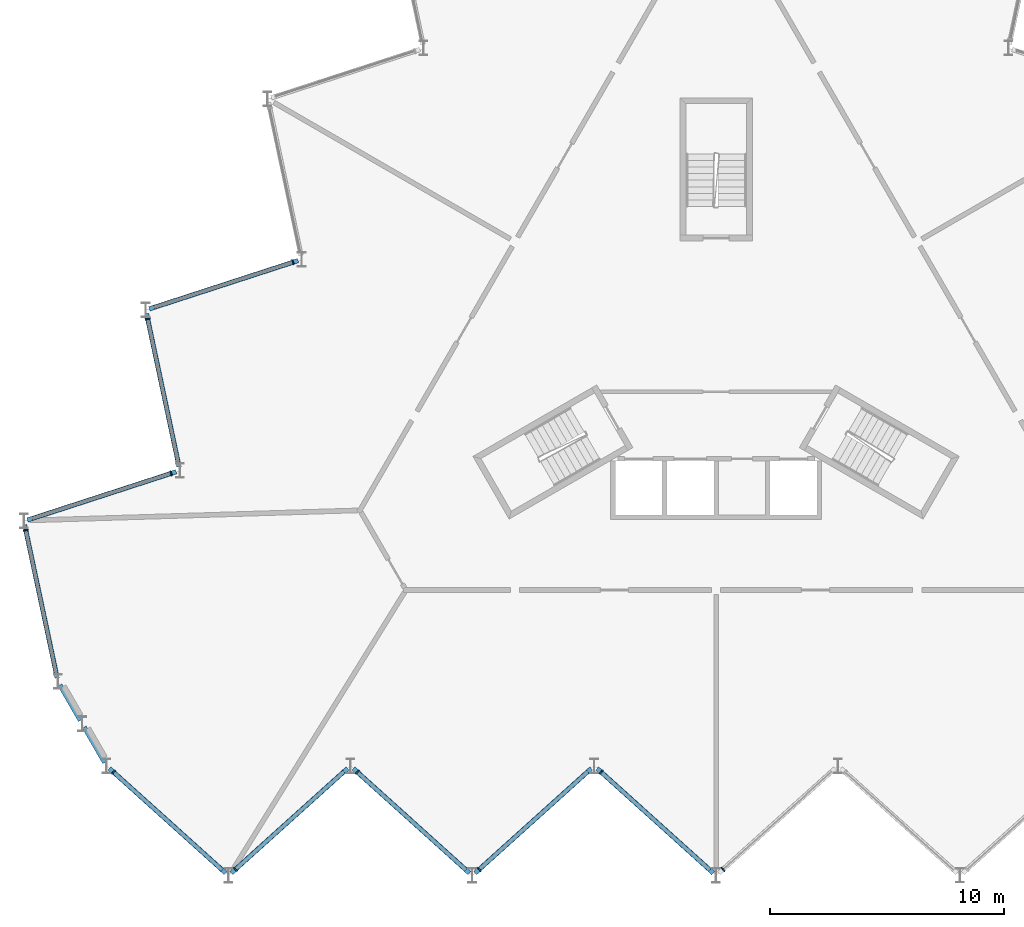
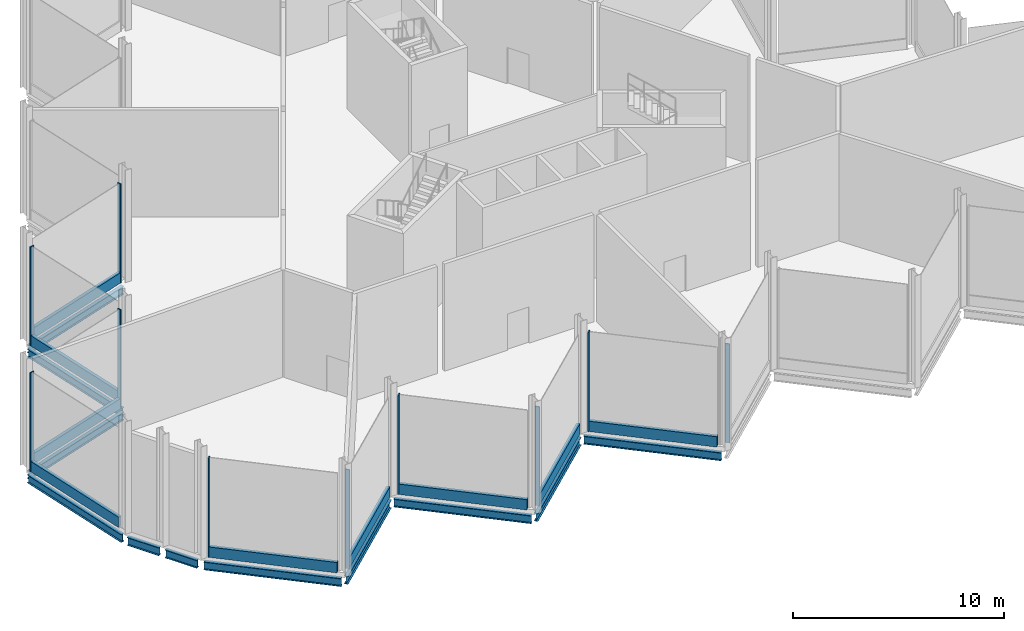
# One storey, part 4 of 12: 19 members, 11 beams, 10 elements without a shape of their own.
"""IFC4 building model written with IfcOpenShell, lengths in metres."""

from ifc_helpers import new_model, si_unit, direction, frame, origin, origin_2d, place, context, subcontext, project, spatial, rectangle, i_section, extrude, material, layer, layer_set, material_profile, profile_set, type_object, element, aggregate, save


model = new_model("IFC4")

# Units and contexts
model_context = context("Model", 3, precision=1e-05, world=origin(), true_north=direction((0.0, 1.0)))
body_context = subcontext(model_context, "Body", "Model", "MODEL_VIEW")
ifc_project = project(units=[si_unit("LENGTHUNIT", "METRE"), si_unit("AREAUNIT", "SQUARE_METRE"), si_unit("VOLUMEUNIT", "CUBIC_METRE"), si_unit("PLANEANGLEUNIT", "RADIAN"), si_unit("MASSUNIT", "GRAM", prefix="KILO")], contexts=[model_context])

# Site, building, storey
site_placement = place(None, origin())
site = spatial("IfcSite", under=ifc_project, at=site_placement, CompositionType="ELEMENT")
building_placement = place(site_placement, origin())
building = spatial("IfcBuilding", under=site, at=building_placement, Name="Cormorant Prow Tower", CompositionType="ELEMENT")
storey_placement = place(building_placement, frame((0.0, 0.0, 421.699951171875)))
storey = spatial("IfcBuildingStorey", under=building, at=storey_placement, Name="L95", CompositionType="ELEMENT", Elevation=421.699951171875)

# Curtain wall, member
ifc_material_1 = material(Name="Aluminium 6063-T6", Category="aluminium")
ifc_layer = layer(ifc_material_1, 0.219970703125)
ifc_layer_set = layer_set([ifc_layer], Name="Aluminium 6063-T6")
curtain_wall_type = type_object("IfcCurtainWallType", Name="Crown unitised curtain wall 220", PredefinedType="NOTDEFINED", material=ifc_layer_set)
curtain_wall_1_placement = place(storey_placement, origin())
curtain_wall_1 = element("IfcCurtainWall", 1, at=curtain_wall_1_placement, inside=storey, type_object=curtain_wall_type, Name="Crown curtain wall crown S00", PredefinedType="NOTDEFINED")
ifc_material_2 = material(Name="Aluminium 6063-T6", Category="aluminium")
ifc_material_profile_1 = material_profile(ifc_material_2, rectangle(XDim=0.219970703125, YDim=0.06005859375, at=origin_2d()), Name="Crown mullion 60x220")
ifc_profile_set_1 = profile_set([ifc_material_profile_1], Name="Aluminium 6063-T6")
member_type_1 = type_object("IfcMemberType", Name="Crown mullion 60x220", PredefinedType="MULLION", material=ifc_profile_set_1)
member_1_placement = place(storey_placement, frame((-25.705810546875, -17.670654296875, 0.0), z_axis=(0.0, 0.0, 1.0), x_axis=(0.669130603959, 0.743144827638, 0.0)))
member_1 = element("IfcMember", 2, at=member_1_placement, type_object=member_type_1, Name="Crown mullion crown S00", PredefinedType="MULLION", context=body_context, shape_type="SweptSolid", body=[
    extrude(rectangle(XDim=0.219970703125, YDim=0.06005859375, at=origin_2d()), origin(), (0.0, 0.0, 1.0), 5.73388671875),
])

curtain_wall_2_placement = place(storey_placement, origin())
curtain_wall_2 = element("IfcCurtainWall", 3, at=curtain_wall_2_placement, inside=storey, type_object=curtain_wall_type, Name="Crown curtain wall crown S01", PredefinedType="NOTDEFINED")
member_2_placement = place(storey_placement, frame((-20.505615234375, -21.82275390625, 0.0), z_axis=(0.0, 0.0, 1.0), x_axis=(-0.669130603959, 0.743144827638, 0.0)))
member_2 = element("IfcMember", 4, at=member_2_placement, type_object=member_type_1, Name="Crown mullion crown S01", PredefinedType="MULLION", context=body_context, shape_type="SweptSolid", body=[
    extrude(rectangle(XDim=0.219970703125, YDim=0.06005859375, at=origin_2d()), origin(), (0.0, 0.0, 1.0), 5.73388671875),
])

curtain_wall_3_placement = place(storey_placement, origin())
curtain_wall_3 = element("IfcCurtainWall", 5, at=curtain_wall_3_placement, inside=storey, type_object=curtain_wall_type, Name="Crown curtain wall crown S02", PredefinedType="NOTDEFINED")
member_3_placement = place(storey_placement, frame((-15.3056640625, -17.670654296875, 0.0), z_axis=(0.0, 0.0, 1.0), x_axis=(0.669130603959, 0.743144827638, 0.0)))
member_3 = element("IfcMember", 6, at=member_3_placement, type_object=member_type_1, Name="Crown mullion crown S02", PredefinedType="MULLION", context=body_context, shape_type="SweptSolid", body=[
    extrude(rectangle(XDim=0.219970703125, YDim=0.06005859375, at=origin_2d()), origin(), (0.0, 0.0, 1.0), 5.73388671875),
])

curtain_wall_4_placement = place(storey_placement, origin())
curtain_wall_4 = element("IfcCurtainWall", 7, at=curtain_wall_4_placement, inside=storey, type_object=curtain_wall_type, Name="Crown curtain wall crown S03", PredefinedType="NOTDEFINED")
member_4_placement = place(storey_placement, frame((-10.105712890625, -21.82275390625, 0.0), z_axis=(0.0, 0.0, 1.0), x_axis=(-0.669130603959, 0.743144827638, 0.0)))
member_4 = element("IfcMember", 8, at=member_4_placement, type_object=member_type_1, Name="Crown mullion crown S03", PredefinedType="MULLION", context=body_context, shape_type="SweptSolid", body=[
    extrude(rectangle(XDim=0.219970703125, YDim=0.06005859375, at=origin_2d()), origin(), (0.0, 0.0, 1.0), 5.73388671875),
])

curtain_wall_5_placement = place(storey_placement, origin())
curtain_wall_5 = element("IfcCurtainWall", 9, at=curtain_wall_5_placement, inside=storey, type_object=curtain_wall_type, Name="Crown curtain wall crown S04", PredefinedType="NOTDEFINED")
member_5_placement = place(storey_placement, frame((-4.90576171875, -17.670654296875, 0.0), z_axis=(0.0, 0.0, 1.0), x_axis=(0.669130603959, 0.743144827638, 0.0)))
member_5 = element("IfcMember", 10, at=member_5_placement, type_object=member_type_1, Name="Crown mullion crown S04", PredefinedType="MULLION", context=body_context, shape_type="SweptSolid", body=[
    extrude(rectangle(XDim=0.219970703125, YDim=0.06005859375, at=origin_2d()), origin(), (0.0, 0.0, 1.0), 5.73388671875),
])

curtain_wall_6_placement = place(storey_placement, origin())
curtain_wall_6 = element("IfcCurtainWall", 11, at=curtain_wall_6_placement, inside=storey, type_object=curtain_wall_type, Name="Crown curtain wall crown S05", PredefinedType="NOTDEFINED")
member_6_placement = place(storey_placement, frame((0.294189453125, -21.82275390625, 0.0), z_axis=(0.0, 0.0, 1.0), x_axis=(-0.669130603959, 0.743144827638, 0.0)))
member_6 = element("IfcMember", 12, at=member_6_placement, type_object=member_type_1, Name="Crown mullion crown S05", PredefinedType="MULLION", context=body_context, shape_type="SweptSolid", body=[
    extrude(rectangle(XDim=0.219970703125, YDim=0.06005859375, at=origin_2d()), origin(), (0.0, 0.0, 1.0), 5.73388671875),
])
aggregate(curtain_wall_6, [member_6])

curtain_wall_7_placement = place(storey_placement, origin())
curtain_wall_7 = element("IfcCurtainWall", 13, at=curtain_wall_7_placement, inside=storey, type_object=curtain_wall_type, Name="Crown curtain wall crown WNW06", PredefinedType="NOTDEFINED")
member_7_placement = place(storey_placement, frame((-18.050537109375, 4.0771484375, 0.0), z_axis=(0.0, 0.0, 1.0), x_axis=(0.309017066365, -0.951056492904, 0.0)))
member_7 = element("IfcMember", 14, at=member_7_placement, type_object=member_type_1, Name="Crown mullion crown WNW06", PredefinedType="MULLION", context=body_context, shape_type="SweptSolid", body=[
    extrude(rectangle(XDim=0.219970703125, YDim=0.06005859375, at=origin_2d()), origin(), (0.0, 0.0, 1.0), 5.73388671875),
])

curtain_wall_8_placement = place(storey_placement, origin())
curtain_wall_8 = element("IfcCurtainWall", 15, at=curtain_wall_8_placement, inside=storey, type_object=curtain_wall_type, Name="Crown curtain wall crown WNW07", PredefinedType="NOTDEFINED")
member_8_placement = place(storey_placement, frame((-24.246337890625, 1.64990234375, 0.0), z_axis=(0.0, 0.0, 1.0), x_axis=(0.978147615768, 0.207911620089, 0.0)))
member_8 = element("IfcMember", 16, at=member_8_placement, type_object=member_type_1, Name="Crown mullion crown WNW07", PredefinedType="MULLION", context=body_context, shape_type="SweptSolid", body=[
    extrude(rectangle(XDim=0.219970703125, YDim=0.06005859375, at=origin_2d()), origin(), (0.0, 0.0, 1.0), 5.73388671875),
])

curtain_wall_9_placement = place(storey_placement, origin())
curtain_wall_9 = element("IfcCurtainWall", 17, at=curtain_wall_9_placement, inside=storey, type_object=curtain_wall_type, Name="Crown curtain wall crown WNW08", PredefinedType="NOTDEFINED")
member_9_placement = place(storey_placement, frame((-23.25048828125, -4.929443359375, 0.0), z_axis=(0.0, 0.0, 1.0), x_axis=(0.309016937108, -0.951056534902, 0.0)))
member_9 = element("IfcMember", 18, at=member_9_placement, type_object=member_type_1, Name="Crown mullion crown WNW08", PredefinedType="MULLION", context=body_context, shape_type="SweptSolid", body=[
    extrude(rectangle(XDim=0.219970703125, YDim=0.06005859375, at=origin_2d()), origin(), (0.0, 0.0, 1.0), 5.73388671875),
])

curtain_wall_10_placement = place(storey_placement, origin())
curtain_wall_10 = element("IfcCurtainWall", 19, at=curtain_wall_10_placement, inside=storey, type_object=curtain_wall_type, Name="Crown curtain wall crown WNW09", PredefinedType="NOTDEFINED")
member_10_placement = place(storey_placement, frame((-29.4462890625, -7.356689453125, 0.0), z_axis=(0.0, 0.0, 1.0), x_axis=(0.978147615768, 0.207911620089, 0.0)))
member_10 = element("IfcMember", 20, at=member_10_placement, type_object=member_type_1, Name="Crown mullion crown WNW09", PredefinedType="MULLION", context=body_context, shape_type="SweptSolid", body=[
    extrude(rectangle(XDim=0.219970703125, YDim=0.06005859375, at=origin_2d()), origin(), (0.0, 0.0, 1.0), 5.73388671875),
])

# Beams
ifc_material_3 = material(Name="Structural steel ASTM A992 Gr 50", Category="steel")
ifc_material_profile_2 = material_profile(ifc_material_3, i_section(OverallWidth=0.19287109375, OverallDepth=0.466064453125, WebThickness=0.011474609375, FlangeThickness=0.01904296875, at=origin_2d()), Name="W18x65")
ifc_profile_set_2 = profile_set([ifc_material_profile_2], Name="Structural steel ASTM A992 Gr 50")
beam_type = type_object("IfcBeamType", Name="Crown ring beam W18x65", PredefinedType="SPANDREL", material=ifc_profile_set_2)
for number, where, z_axis, x_axis, name in (
    (21, (-25.878662109375, -17.514892578125, -0.532958984375), (0.743139440672, -0.669136586743, 0.0), (0.669136586743, 0.743139440672, 0.0), "Crown ring beam SB5 S00-S01 L95"),
    (22, (-20.6787109375, -21.978515625, -0.532958984375), (0.743139440672, 0.669136586743, 0.0), (-0.669136586743, 0.743139440672, 0.0), "Crown ring beam SB5 S01-S02 L95"),
):
    element("IfcBeam", number, at=place(storey_placement, frame(where, z_axis=z_axis, x_axis=x_axis)), inside=storey, type_object=beam_type, Name=name, PredefinedType="SPANDREL", context=body_context, shape_type="SweptSolid", body=[
        extrude(i_section(OverallWidth=0.19287109375, OverallDepth=0.466064453125, WebThickness=0.011474609375, FlangeThickness=0.01904296875, at=origin_2d()), origin(), (0.0, 0.0, 1.0), 6.670654296875),
    ])
beam_1_placement = place(storey_placement, frame((-15.478759765625, -17.514892578125, -0.532958984375), z_axis=(0.743155826906, -0.669118387832, 0.0), x_axis=(0.669118387832, 0.743155826906, 0.0)))
element("IfcBeam", 23, at=beam_1_placement, inside=storey, type_object=beam_type, Name="Crown ring beam SB5 S02-S03 L95", PredefinedType="SPANDREL", context=body_context, shape_type="SweptSolid", body=[
    extrude(i_section(OverallWidth=0.19287109375, OverallDepth=0.466064453125, WebThickness=0.011474609375, FlangeThickness=0.01904296875, at=origin_2d()), origin(), (0.0, 0.0, 1.0), 6.6708984375),
])
for number, where, z_axis, x_axis, name in (
    (24, (-10.278564453125, -21.978515625, -0.532958984375), (0.743139440672, 0.669136586743, 0.0), (-0.669136586743, 0.743139440672, 0.0), "Crown ring beam SB5 S03-S04 L95"),
    (25, (-5.07861328125, -17.514892578125, -0.532958984375), (0.743139440672, -0.669136586743, 0.0), (0.669136586743, 0.743139440672, 0.0), "Crown ring beam SB5 S04-S05 L95"),
    (26, (-17.8291015625, 4.149169921875, -0.532958984375), (-0.951049666898, -0.309038073858, 0.0), (0.309038073858, -0.951049666898, 0.0), "Crown ring beam SB5 WNW06-WNW07 L95"),
):
    element("IfcBeam", number, at=place(storey_placement, frame(where, z_axis=z_axis, x_axis=x_axis)), inside=storey, type_object=beam_type, Name=name, PredefinedType="SPANDREL", context=body_context, shape_type="SweptSolid", body=[
        extrude(i_section(OverallWidth=0.19287109375, OverallDepth=0.466064453125, WebThickness=0.011474609375, FlangeThickness=0.01904296875, at=origin_2d()), origin(), (0.0, 0.0, 1.0), 6.670654296875),
    ])
beam_2_placement = place(storey_placement, frame((-24.294677734375, 1.877685546875, -0.532958984375), z_axis=(0.207911717999, -0.978147594956, 0.0), x_axis=(0.978147594956, 0.207911717999, 0.0)))
element("IfcBeam", 27, at=beam_2_placement, inside=storey, type_object=beam_type, Name="Crown ring beam SB5 WNW07-WNW08 L95", PredefinedType="SPANDREL", context=body_context, shape_type="SweptSolid", body=[
    extrude(i_section(OverallWidth=0.19287109375, OverallDepth=0.466064453125, WebThickness=0.011474609375, FlangeThickness=0.01904296875, at=origin_2d()), origin(), (0.0, 0.0, 1.0), 6.6708984375),
])
for number, where, z_axis, x_axis, name in (
    (28, (-23.029052734375, -4.857666015625, -0.532958984375), (-0.95106042314, -0.309004970083, 0.0), (0.309004970083, -0.95106042314, 0.0), "Crown ring beam SB5 WNW08-WNW09 L95"),
    (29, (-29.49462890625, -7.129150390625, -0.532958984375), (0.207919161079, -0.978146012851, 0.0), (0.978146012851, 0.207919161079, 0.0), "Crown ring beam SB5 WNW09-WSW00 L95"),
):
    element("IfcBeam", number, at=place(storey_placement, frame(where, z_axis=z_axis, x_axis=x_axis)), inside=storey, type_object=beam_type, Name=name, PredefinedType="SPANDREL", context=body_context, shape_type="SweptSolid", body=[
        extrude(i_section(OverallWidth=0.19287109375, OverallDepth=0.466064453125, WebThickness=0.011474609375, FlangeThickness=0.01904296875, at=origin_2d()), origin(), (0.0, 0.0, 1.0), 6.670654296875),
    ])
for number, where, z_axis, x_axis, name in (
    (30, (-27.9921875, -13.955078125, -0.532958984375), (0.500061095026, -0.865990127681, 0.0), (0.865990127681, 0.500061095026, 0.0), "Crown ring beam SB5 WSW00-WSW01 L95"),
    (31, (-26.955322265625, -15.751220703125, -0.532958984375), (0.500061095026, -0.865990127681, 0.0), (0.865990127681, 0.500061095026, 0.0), "Crown ring beam SB5 WSW01-S00 L95"),
):
    element("IfcBeam", number, at=place(storey_placement, frame(where, z_axis=z_axis, x_axis=x_axis)), inside=storey, type_object=beam_type, Name=name, PredefinedType="SPANDREL", context=body_context, shape_type="SweptSolid", body=[
        extrude(i_section(OverallWidth=0.19287109375, OverallDepth=0.466064453125, WebThickness=0.011474609375, FlangeThickness=0.01904296875, at=origin_2d()), origin(), (0.0, 0.0, 1.0), 1.747314453125),
    ])

# Member
ifc_material_4 = material(Name="Terracotta", Category="masonry")
ifc_material_profile_3 = material_profile(ifc_material_4, rectangle(XDim=0.179931640625, YDim=0.60009765625, at=origin_2d()), Name="Crown terracotta spandrel rail 180x600")
ifc_profile_set_3 = profile_set([ifc_material_profile_3], Name="Terracotta")
member_type_2 = type_object("IfcMemberType", Name="Crown terracotta spandrel rail 180x600", PredefinedType="USERDEFINED", material=ifc_profile_set_3)
member_11_placement = place(storey_placement, frame((-25.683349609375, -17.690673828125, 0.300048828125), z_axis=(0.743121966202, -0.669155993285, 0.0), x_axis=(0.669155993285, 0.743121966202, 0.0)))
member_11 = element("IfcMember", 32, at=member_11_placement, type_object=member_type_2, Name="Crown spandrel rail crown S00", ObjectType="TRANSOM", PredefinedType="USERDEFINED", context=body_context, shape_type="SweptSolid", body=[
    extrude(rectangle(XDim=0.179931640625, YDim=0.60009765625, at=origin_2d()), origin(), (0.0, 0.0, 1.0), 6.205322265625),
])

aggregate(curtain_wall_1, [member_1, member_11])

member_12_placement = place(storey_placement, frame((-20.4833984375, -21.802734375, 0.300048828125), z_axis=(0.743141530577, 0.669134265699, 0.0), x_axis=(-0.669134265699, 0.743141530577, 0.0)))
member_12 = element("IfcMember", 33, at=member_12_placement, type_object=member_type_2, Name="Crown spandrel rail crown S01", ObjectType="TRANSOM", PredefinedType="USERDEFINED", context=body_context, shape_type="SweptSolid", body=[
    extrude(rectangle(XDim=0.179931640625, YDim=0.60009765625, at=origin_2d()), origin(), (0.0, 0.0, 1.0), 6.205078125),
])

aggregate(curtain_wall_2, [member_2, member_12])

member_13_placement = place(storey_placement, frame((-15.283447265625, -17.690673828125, 0.300048828125), z_axis=(0.743139582304, -0.669136429447, 0.0), x_axis=(0.669136429447, 0.743139582304, 0.0)))
member_13 = element("IfcMember", 34, at=member_13_placement, type_object=member_type_2, Name="Crown spandrel rail crown S02", ObjectType="TRANSOM", PredefinedType="USERDEFINED", context=body_context, shape_type="SweptSolid", body=[
    extrude(rectangle(XDim=0.179931640625, YDim=0.60009765625, at=origin_2d()), origin(), (0.0, 0.0, 1.0), 6.20556640625),
])

aggregate(curtain_wall_3, [member_3, member_13])

member_14_placement = place(storey_placement, frame((-10.08349609375, -21.802734375, 0.300048828125), z_axis=(0.743159145999, 0.669114701466, 0.0), x_axis=(-0.669114701466, 0.743159145999, 0.0)))
member_14 = element("IfcMember", 35, at=member_14_placement, type_object=member_type_2, Name="Crown spandrel rail crown S03", ObjectType="TRANSOM", PredefinedType="USERDEFINED", context=body_context, shape_type="SweptSolid", body=[
    extrude(rectangle(XDim=0.179931640625, YDim=0.60009765625, at=origin_2d()), origin(), (0.0, 0.0, 1.0), 6.205322265625),
])

aggregate(curtain_wall_4, [member_4, member_14])

member_15_placement = place(storey_placement, frame((-4.88330078125, -17.690673828125, 0.300048828125), z_axis=(0.743121966202, -0.669155993285, 0.0), x_axis=(0.669155993285, 0.743121966202, 0.0)))
member_15 = element("IfcMember", 36, at=member_15_placement, type_object=member_type_2, Name="Crown spandrel rail crown S04", ObjectType="TRANSOM", PredefinedType="USERDEFINED", context=body_context, shape_type="SweptSolid", body=[
    extrude(rectangle(XDim=0.179931640625, YDim=0.60009765625, at=origin_2d()), origin(), (0.0, 0.0, 1.0), 6.205322265625),
])

aggregate(curtain_wall_5, [member_5, member_15])

member_16_placement = place(storey_placement, frame((-18.078857421875, 4.06787109375, 0.300048828125), z_axis=(-0.951059797983, -0.309006894194, 0.0), x_axis=(0.309006894194, -0.951059797983, 0.0)))
member_16 = element("IfcMember", 37, at=member_16_placement, type_object=member_type_2, Name="Crown spandrel rail crown WNW06", ObjectType="TRANSOM", PredefinedType="USERDEFINED", context=body_context, shape_type="SweptSolid", body=[
    extrude(rectangle(XDim=0.179931640625, YDim=0.60009765625, at=origin_2d()), origin(), (0.0, 0.0, 1.0), 6.205322265625),
])

aggregate(curtain_wall_7, [member_7, member_16])

member_17_placement = place(storey_placement, frame((-24.239990234375, 1.62060546875, 0.300048828125), z_axis=(0.207889811544, -0.978152251061, 0.0), x_axis=(0.978152251061, 0.207889811544, 0.0)))
member_17 = element("IfcMember", 38, at=member_17_placement, type_object=member_type_2, Name="Crown spandrel rail crown WNW07", ObjectType="TRANSOM", PredefinedType="USERDEFINED", context=body_context, shape_type="SweptSolid", body=[
    extrude(rectangle(XDim=0.179931640625, YDim=0.60009765625, at=origin_2d()), origin(), (0.0, 0.0, 1.0), 6.205322265625),
])

aggregate(curtain_wall_8, [member_8, member_17])

member_18_placement = place(storey_placement, frame((-23.279052734375, -4.938720703125, 0.300048828125), z_axis=(-0.951056041011, -0.309018457145, 0.0), x_axis=(0.309018457145, -0.951056041011, 0.0)))
member_18 = element("IfcMember", 39, at=member_18_placement, type_object=member_type_2, Name="Crown spandrel rail crown WNW08", ObjectType="TRANSOM", PredefinedType="USERDEFINED", context=body_context, shape_type="SweptSolid", body=[
    extrude(rectangle(XDim=0.179931640625, YDim=0.60009765625, at=origin_2d()), origin(), (0.0, 0.0, 1.0), 6.205078125),
])

aggregate(curtain_wall_9, [member_9, member_18])

member_19_placement = place(storey_placement, frame((-29.43994140625, -7.385986328125, 0.300048828125), z_axis=(0.207889811544, -0.978152251061, 0.0), x_axis=(0.978152251061, 0.207889811544, 0.0)))
member_19 = element("IfcMember", 40, at=member_19_placement, type_object=member_type_2, Name="Crown spandrel rail crown WNW09", ObjectType="TRANSOM", PredefinedType="USERDEFINED", context=body_context, shape_type="SweptSolid", body=[
    extrude(rectangle(XDim=0.179931640625, YDim=0.60009765625, at=origin_2d()), origin(), (0.0, 0.0, 1.0), 6.205322265625),
])

aggregate(curtain_wall_10, [member_10, member_19])

save(model, "model.ifc")
